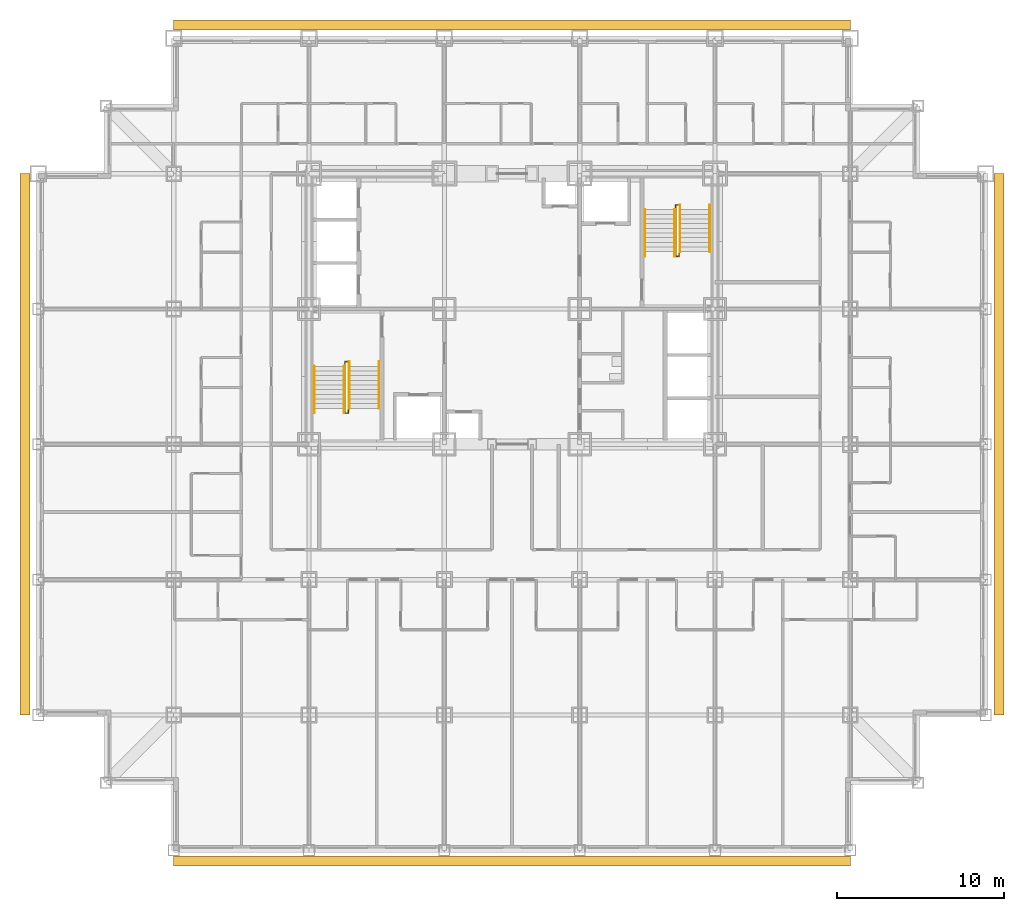
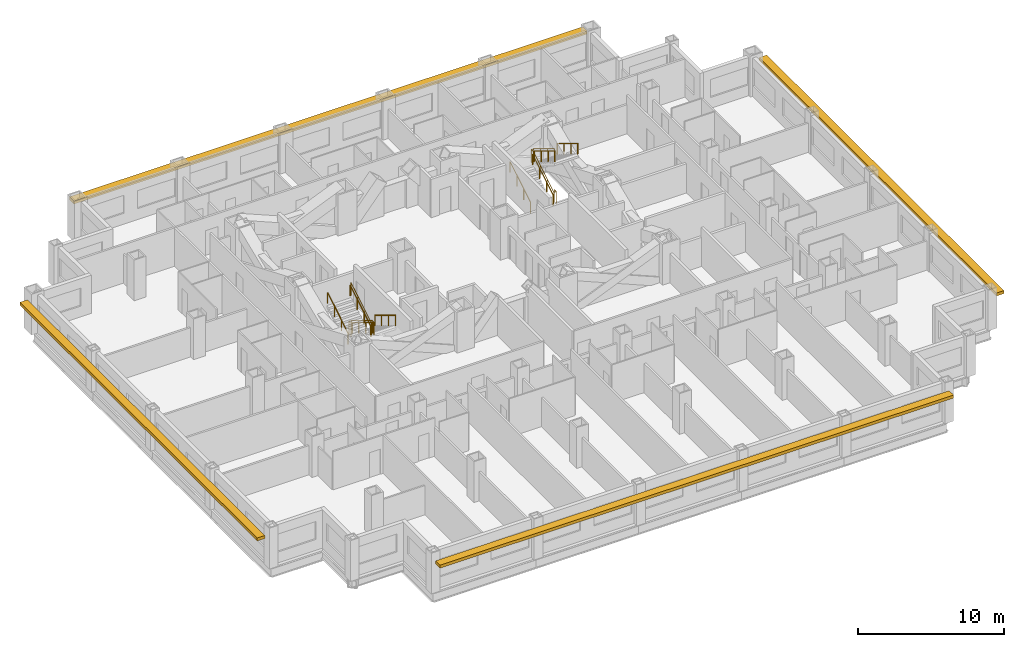
# One storey, part 11 of 12: 10 railings, 4 shading devices.
"""IFC4 building model written with IfcOpenShell, lengths in metres."""

from ifc_helpers import new_model, si_unit, direction, frame, origin, origin_2d, place, context, subcontext, project, spatial, rectangle, circle, extrude, material, type_object, element, save


model = new_model("IFC4")

# Units and contexts
model_context = context("Model", 3, precision=1e-05, world=origin(), true_north=direction((0.0, 1.0)))
body_context = subcontext(model_context, "Body", "Model", "MODEL_VIEW")
ifc_project = project(units=[si_unit("LENGTHUNIT", "METRE"), si_unit("AREAUNIT", "SQUARE_METRE"), si_unit("VOLUMEUNIT", "CUBIC_METRE"), si_unit("PLANEANGLEUNIT", "RADIAN"), si_unit("MASSUNIT", "GRAM", prefix="KILO")], contexts=[model_context])

# Site, building, storey
site_placement = place(None, origin())
site = spatial("IfcSite", under=ifc_project, at=site_placement, CompositionType="ELEMENT")
building_placement = place(site_placement, origin())
building = spatial("IfcBuilding", under=site, at=building_placement, Name="Kopane Lantern Tower", CompositionType="ELEMENT")
storey_placement = place(building_placement, frame((0.0, 0.0, 80.60009765625)))
storey = spatial("IfcBuildingStorey", under=building, at=storey_placement, Name="L20", CompositionType="ELEMENT", Elevation=80.60009765625)

# Railings
ifc_material_1 = material(Name="Steel", Category="steel")
railing_type_1 = type_object("IfcRailingType", Name="STAIR GUARD 1100", PredefinedType="GUARDRAIL", material=ifc_material_1)
railing_1_placement = place(storey_placement, frame((18.35009765625, 28.969970703125, 0.0)))
element("IfcRailing", 1, at=railing_1_placement, inside=storey, type_object=railing_type_1, Name="ST1 well guard L20", PredefinedType="GUARDRAIL", context=body_context, shape_type="SweptSolid", body=[
    extrude(circle(Radius=0.02392578125, at=origin_2d()), frame((0.0, 0.0, 1.076171875), z_axis=(0.0, 1.0, 0.0), x_axis=(-1.0, 0.0, 0.0)), (0.0, 0.0, 1.0), 0.280029296875),
    extrude(circle(Radius=0.02392578125, at=origin_2d()), frame((0.0, 0.280029296875, 1.076171875), z_axis=(1.0, 0.0, 0.0), x_axis=(0.0, 1.0, 0.0)), (0.0, 0.0, 1.0), 0.199951171875),
    extrude(circle(Radius=0.02392578125, at=origin_2d()), frame((0.199951171875, 0.280029296875, 1.076171875), z_axis=(0.0, -0.854798142509, 0.518960630071), x_axis=(1.0, 0.0, 0.0)), (0.0, 0.0, 1.0), 3.275634765625),
    extrude(circle(Radius=0.02392578125, at=origin_2d()), frame((0.199951171875, -2.52001953125, 2.77587890625), z_axis=(0.0, -1.0, 0.0), x_axis=(1.0, 0.0, 0.0)), (0.0, 0.0, 1.0), 0.280029296875),
    extrude(circle(Radius=0.02392578125, at=origin_2d()), frame((0.199951171875, -2.800048828125, 2.77587890625), z_axis=(-1.0, 0.0, 0.0), x_axis=(0.0, -1.0, 0.0)), (0.0, 0.0, 1.0), 0.199951171875),
    extrude(circle(Radius=0.02392578125, at=origin_2d()), frame((0.0, -2.800048828125, 2.77587890625), z_axis=(0.0, 0.854798142509, 0.518960630071), x_axis=(-1.0, 0.0, 0.0)), (0.0, 0.0, 1.0), 3.275634765625),
    extrude(circle(Radius=0.02099609375, at=origin_2d()), origin(), (0.0, 0.0, 1.0), 1.052001953125),
    extrude(circle(Radius=0.02099609375, at=origin_2d()), frame((0.0, 0.280029296875, 0.0)), (0.0, 0.0, 1.0), 1.052001953125),
    extrude(circle(Radius=0.02099609375, at=origin_2d()), frame((0.199951171875, 0.280029296875, 0.0)), (0.0, 0.0, 1.0), 1.052001953125),
    extrude(circle(Radius=0.02099609375, at=origin_2d()), frame((0.199951171875, -0.6533203125, 0.566650390625)), (0.0, 0.0, 1.0), 1.052001953125),
    extrude(circle(Radius=0.02099609375, at=origin_2d()), frame((0.199951171875, -1.586669921875, 1.13330078125)), (0.0, 0.0, 1.0), 1.052001953125),
    extrude(circle(Radius=0.02099609375, at=origin_2d()), frame((0.199951171875, -2.52001953125, 1.699951171875)), (0.0, 0.0, 1.0), 1.052001953125),
    extrude(circle(Radius=0.02099609375, at=origin_2d()), frame((0.199951171875, -2.800048828125, 1.699951171875)), (0.0, 0.0, 1.0), 1.052001953125),
    extrude(circle(Radius=0.02099609375, at=origin_2d()), frame((0.0, -2.800048828125, 1.699951171875)), (0.0, 0.0, 1.0), 1.052001953125),
    extrude(circle(Radius=0.02099609375, at=origin_2d()), frame((0.0, -1.86669921875, 2.2666015625)), (0.0, 0.0, 1.0), 1.052001953125),
    extrude(circle(Radius=0.02099609375, at=origin_2d()), frame((0.0, -0.933349609375, 2.833251953125)), (0.0, 0.0, 1.0), 1.052001953125),
    extrude(circle(Radius=0.02099609375, at=origin_2d()), frame((0.0, 0.0, 3.39990234375)), (0.0, 0.0, 1.0), 1.052001953125),
])
railing_2_placement = place(storey_placement, frame((38.35009765625, 35.830078125, 0.0)))
element("IfcRailing", 2, at=railing_2_placement, inside=storey, type_object=railing_type_1, Name="ST2 well guard L20", PredefinedType="GUARDRAIL", context=body_context, shape_type="SweptSolid", body=[
    extrude(circle(Radius=0.02392578125, at=origin_2d()), frame((0.0, 0.0, 1.076171875), z_axis=(0.0, -1.0, 0.0), x_axis=(1.0, 0.0, 0.0)), (0.0, 0.0, 1.0), 0.280029296875),
    extrude(circle(Radius=0.02392578125, at=origin_2d()), frame((0.0, -0.280029296875, 1.076171875), z_axis=(-1.0, 0.0, 0.0), x_axis=(0.0, -1.0, 0.0)), (0.0, 0.0, 1.0), 0.2001953125),
    extrude(circle(Radius=0.02392578125, at=origin_2d()), frame((-0.2001953125, -0.280029296875, 1.076171875), z_axis=(0.0, 0.854798142509, 0.518960630071), x_axis=(-1.0, 0.0, 0.0)), (0.0, 0.0, 1.0), 3.275634765625),
    extrude(circle(Radius=0.02392578125, at=origin_2d()), frame((-0.2001953125, 2.52001953125, 2.77587890625), z_axis=(0.0, 1.0, 0.0), x_axis=(-1.0, 0.0, 0.0)), (0.0, 0.0, 1.0), 0.27978515625),
    extrude(circle(Radius=0.02392578125, at=origin_2d()), frame((-0.2001953125, 2.7998046875, 2.77587890625), z_axis=(1.0, 0.0, 0.0), x_axis=(0.0, 1.0, 0.0)), (0.0, 0.0, 1.0), 0.2001953125),
    extrude(circle(Radius=0.02392578125, at=origin_2d()), frame((0.0, 2.7998046875, 2.77587890625), z_axis=(0.0, -0.854778067842, 0.518993694313), x_axis=(1.0, 0.0, 0.0)), (0.0, 0.0, 1.0), 3.275390625),
    extrude(circle(Radius=0.02099609375, at=origin_2d()), origin(), (0.0, 0.0, 1.0), 1.052001953125),
    extrude(circle(Radius=0.02099609375, at=origin_2d()), frame((0.0, -0.280029296875, 0.0)), (0.0, 0.0, 1.0), 1.052001953125),
    extrude(circle(Radius=0.02099609375, at=origin_2d()), frame((-0.2001953125, -0.280029296875, 0.0)), (0.0, 0.0, 1.0), 1.052001953125),
    extrude(circle(Radius=0.02099609375, at=origin_2d()), frame((-0.2001953125, 0.6533203125, 0.566650390625)), (0.0, 0.0, 1.0), 1.052001953125),
    extrude(circle(Radius=0.02099609375, at=origin_2d()), frame((-0.2001953125, 1.586669921875, 1.13330078125)), (0.0, 0.0, 1.0), 1.052001953125),
    extrude(circle(Radius=0.02099609375, at=origin_2d()), frame((-0.2001953125, 2.52001953125, 1.699951171875)), (0.0, 0.0, 1.0), 1.052001953125),
    extrude(circle(Radius=0.02099609375, at=origin_2d()), frame((-0.2001953125, 2.7998046875, 1.699951171875)), (0.0, 0.0, 1.0), 1.052001953125),
    extrude(circle(Radius=0.02099609375, at=origin_2d()), frame((0.0, 2.7998046875, 1.699951171875)), (0.0, 0.0, 1.0), 1.052001953125),
    extrude(circle(Radius=0.02099609375, at=origin_2d()), frame((0.0, 1.866455078125, 2.2666015625)), (0.0, 0.0, 1.0), 1.052001953125),
    extrude(circle(Radius=0.02099609375, at=origin_2d()), frame((0.0, 0.933349609375, 2.833251953125)), (0.0, 0.0, 1.0), 1.052001953125),
    extrude(circle(Radius=0.02099609375, at=origin_2d()), frame((0.0, 0.0, 3.39990234375)), (0.0, 0.0, 1.0), 1.052001953125),
])
ifc_material_2 = material(Name="Steel", Category="steel")
railing_type_2 = type_object("IfcRailingType", Name="STAIR HANDRAIL 900", PredefinedType="HANDRAIL", material=ifc_material_2)
for number, where, name in (
    (3, (20.389892578125, 29.25, 0.0), "ST1 handrail L20 flight 1"),
    (4, (18.610107421875, 29.25, 0.0), "ST1 handrail L20 flight 1"),
):
    element("IfcRailing", number, at=place(storey_placement, frame(where)), inside=storey, type_object=railing_type_2, Name=name, PredefinedType="HANDRAIL", context=body_context, shape_type="SweptSolid", body=[
        extrude(circle(Radius=0.02392578125, at=origin_2d()), frame((0.0, 0.0, 0.8759765625), z_axis=(0.0, -0.854798142509, 0.518960630071), x_axis=(1.0, 0.0, 0.0)), (0.0, 0.0, 1.0), 3.275634765625),
        extrude(circle(Radius=0.02099609375, at=origin_2d()), origin(), (0.0, 0.0, 1.0), 0.851806640625),
        extrude(circle(Radius=0.02099609375, at=origin_2d()), frame((0.0, -0.933349609375, 0.566650390625)), (0.0, 0.0, 1.0), 0.851806640625),
        extrude(circle(Radius=0.02099609375, at=origin_2d()), frame((0.0, -1.86669921875, 1.13330078125)), (0.0, 0.0, 1.0), 0.851806640625),
        extrude(circle(Radius=0.02099609375, at=origin_2d()), frame((0.0, -2.800048828125, 1.699951171875)), (0.0, 0.0, 1.0), 0.851806640625),
    ])
for number, where, name in (
    (5, (16.510009765625, 26.169921875, 1.699951171875), "ST1 handrail L20 flight 2"),
    (6, (18.2900390625, 26.169921875, 1.699951171875), "ST1 handrail L20 flight 2"),
    (7, (36.31005859375, 35.550048828125, 0.0), "ST2 handrail L20 flight 1"),
    (8, (38.090087890625, 35.550048828125, 0.0), "ST2 handrail L20 flight 1"),
):
    element("IfcRailing", number, at=place(storey_placement, frame(where)), inside=storey, type_object=railing_type_2, Name=name, PredefinedType="HANDRAIL", context=body_context, shape_type="SweptSolid", body=[
        extrude(circle(Radius=0.02392578125, at=origin_2d()), frame((0.0, 0.0, 0.8759765625), z_axis=(0.0, 0.854798142509, 0.518960630071), x_axis=(-1.0, 0.0, 0.0)), (0.0, 0.0, 1.0), 3.275634765625),
        extrude(circle(Radius=0.02099609375, at=origin_2d()), origin(), (0.0, 0.0, 1.0), 0.851806640625),
        extrude(circle(Radius=0.02099609375, at=origin_2d()), frame((0.0, 0.933349609375, 0.566650390625)), (0.0, 0.0, 1.0), 0.851806640625),
        extrude(circle(Radius=0.02099609375, at=origin_2d()), frame((0.0, 1.86669921875, 1.13330078125)), (0.0, 0.0, 1.0), 0.851806640625),
        extrude(circle(Radius=0.02099609375, at=origin_2d()), frame((0.0, 2.800048828125, 1.699951171875)), (0.0, 0.0, 1.0), 0.851806640625),
    ])
for number, where, name in (
    (9, (40.18994140625, 38.6298828125, 1.699951171875), "ST2 handrail L20 flight 2"),
    (10, (38.409912109375, 38.6298828125, 1.699951171875), "ST2 handrail L20 flight 2"),
):
    element("IfcRailing", number, at=place(storey_placement, frame(where)), inside=storey, type_object=railing_type_2, Name=name, PredefinedType="HANDRAIL", context=body_context, shape_type="SweptSolid", body=[
        extrude(circle(Radius=0.02392578125, at=origin_2d()), frame((0.0, 0.0, 0.8759765625), z_axis=(0.0, -0.854778067842, 0.518993694313), x_axis=(1.0, 0.0, 0.0)), (0.0, 0.0, 1.0), 3.275390625),
        extrude(circle(Radius=0.02099609375, at=origin_2d()), origin(), (0.0, 0.0, 1.0), 0.851806640625),
        extrude(circle(Radius=0.02099609375, at=origin_2d()), frame((0.0, -0.933349609375, 0.566650390625)), (0.0, 0.0, 1.0), 0.851806640625),
        extrude(circle(Radius=0.02099609375, at=origin_2d()), frame((0.0, -1.866455078125, 1.13330078125)), (0.0, 0.0, 1.0), 0.851806640625),
        extrude(circle(Radius=0.02099609375, at=origin_2d()), frame((0.0, -2.7998046875, 1.699951171875)), (0.0, 0.0, 1.0), 0.851806640625),
    ])

# Shading devices
ifc_material_3 = material(Name="Terracotta rainscreen on light steel framing", Category="masonry")
shading_device_type = type_object("IfcShadingDeviceType", Name="SUNSHADE BAND SB1 600 TERRACOTTA", PredefinedType="USERDEFINED", material=ifc_material_3)
shading_device_1_placement = place(storey_placement, frame((28.35009765625, -0.64990234375, 2.39990234375), z_axis=(0.0, 0.0, 1.0), x_axis=(1.0, 0.0, 0.0)))
element("IfcShadingDevice", 11, at=shading_device_1_placement, inside=storey, type_object=shading_device_type, Name="Sunshade band S L20", ObjectType="SUNSHADE BAND", PredefinedType="USERDEFINED", context=body_context, shape_type="SweptSolid", body=[
    extrude(rectangle(XDim=40.5, YDim=0.60009765625, at=origin_2d()), origin(), (0.0, 0.0, 1.0), 0.25),
])
shading_device_2_placement = place(storey_placement, frame((57.5, 24.300048828125, 2.39990234375), z_axis=(0.0, 0.0, 1.0), x_axis=(0.0, 1.0, 0.0)))
element("IfcShadingDevice", 12, at=shading_device_2_placement, inside=storey, type_object=shading_device_type, Name="Sunshade band E L20", ObjectType="SUNSHADE BAND", PredefinedType="USERDEFINED", context=body_context, shape_type="SweptSolid", body=[
    extrude(rectangle(XDim=32.39990234375, YDim=0.60009765625, at=origin_2d()), origin(), (0.0, 0.0, 1.0), 0.25),
])
shading_device_3_placement = place(storey_placement, frame((28.35009765625, 49.39990234375, 2.39990234375), z_axis=(0.0, 0.0, 1.0), x_axis=(-1.0, 0.0, 0.0)))
element("IfcShadingDevice", 13, at=shading_device_3_placement, inside=storey, type_object=shading_device_type, Name="Sunshade band N L20", ObjectType="SUNSHADE BAND", PredefinedType="USERDEFINED", context=body_context, shape_type="SweptSolid", body=[
    extrude(rectangle(XDim=40.5, YDim=0.60009765625, at=origin_2d()), origin(), (0.0, 0.0, 1.0), 0.25),
])
shading_device_4_placement = place(storey_placement, frame((-0.800048828125, 24.300048828125, 2.39990234375), z_axis=(0.0, 0.0, 1.0), x_axis=(0.0, -1.0, 0.0)))
element("IfcShadingDevice", 14, at=shading_device_4_placement, inside=storey, type_object=shading_device_type, Name="Sunshade band W L20", ObjectType="SUNSHADE BAND", PredefinedType="USERDEFINED", context=body_context, shape_type="SweptSolid", body=[
    extrude(rectangle(XDim=32.39990234375, YDim=0.60009765625, at=origin_2d()), origin(), (0.0, 0.0, 1.0), 0.25),
])

save(model, "model.ifc")
